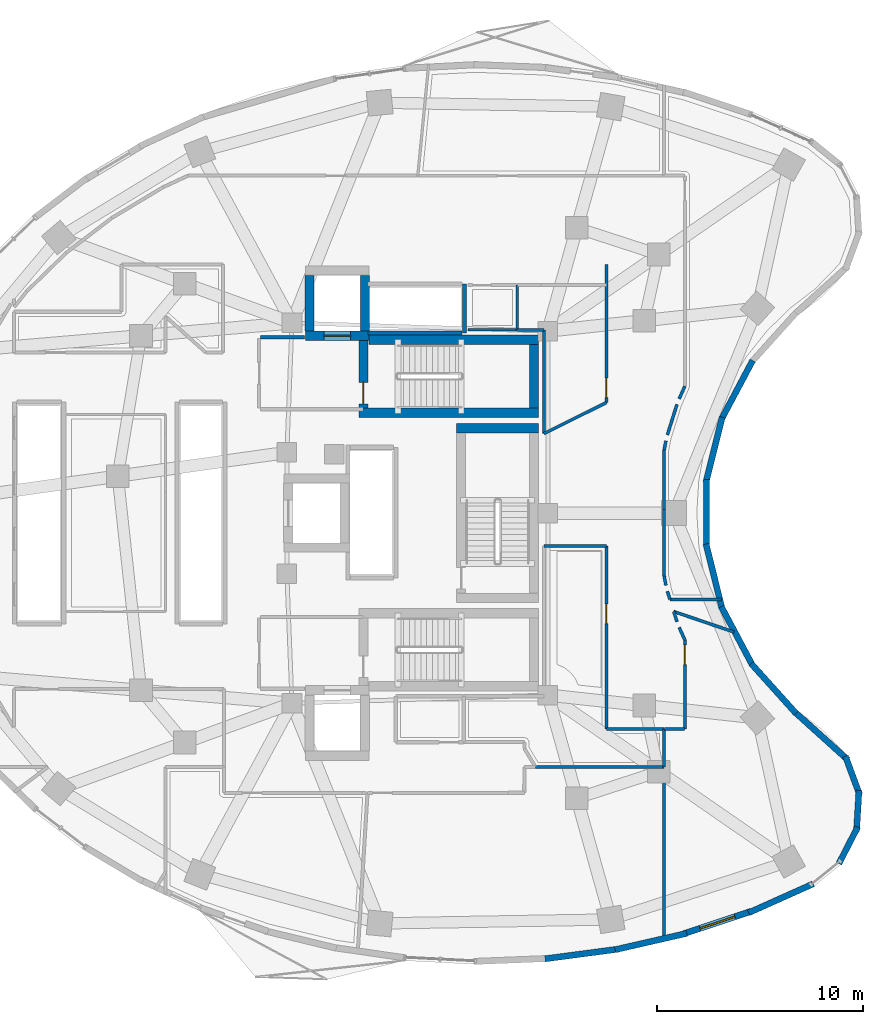
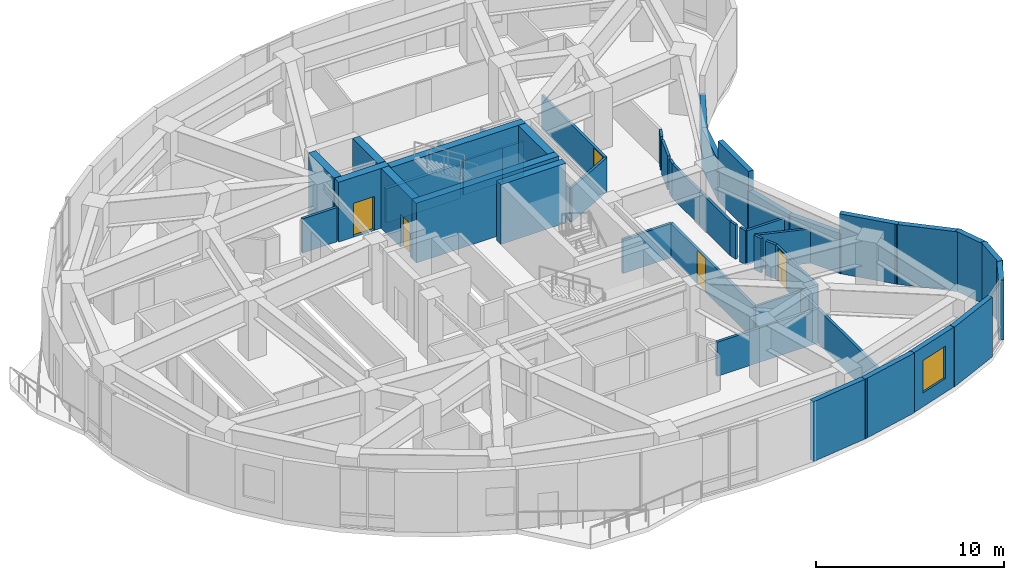
# One storey, part 8 of 13: 50 walls, 5 doors, 1 window, 6 openings.
"""IFC4 building model written with IfcOpenShell, lengths in metres."""

from ifc_helpers import new_model, si_unit, direction, frame, frame_2d, origin, place, context, subcontext, project, spatial, rectangle, extrude, material, layer, layer_set, type_object, element, fill, save


model = new_model("IFC4")

# Units and contexts
model_context = context("Model", 3, precision=1e-05, world=origin(), true_north=direction((0.0, 1.0)))
body_context = subcontext(model_context, "Body", "Model", "MODEL_VIEW")
ifc_project = project(units=[si_unit("LENGTHUNIT", "METRE"), si_unit("AREAUNIT", "SQUARE_METRE"), si_unit("VOLUMEUNIT", "CUBIC_METRE"), si_unit("PLANEANGLEUNIT", "RADIAN"), si_unit("MASSUNIT", "GRAM", prefix="KILO")], contexts=[model_context])

# Site, building, storey
site_placement = place(None, origin())
site = spatial("IfcSite", under=ifc_project, at=site_placement, CompositionType="ELEMENT")
building_placement = place(site_placement, origin())
building = spatial("IfcBuilding", under=site, at=building_placement, Name="Korentha Bioscience Tower", CompositionType="ELEMENT")
storey_placement = place(building_placement, frame((0.0, 0.0, 144.60009765625)))
storey = spatial("IfcBuildingStorey", under=building, at=storey_placement, Name="L33", CompositionType="ELEMENT", Elevation=144.60009765625)

# Wall, opening, door
ifc_material_1 = material(Name="Double-Stud Acoustic Gypsum", Category="gypsum")
ifc_layer_1 = layer(ifc_material_1, 0.14990234375, Name="Double-Stud Acoustic Gypsum")
ifc_layer_set_1 = layer_set([ifc_layer_1], Name="Double-Stud Acoustic Gypsum (IW-L150)")
wall_type_1 = type_object("IfcWallType", Name="Acoustic Laboratory Partition Wall 150", PredefinedType="PARTITIONING", material=ifc_layer_set_1)
wall_1_placement = place(storey_placement, frame((40.389892578125, 25.389892578125, 0.0), z_axis=(0.0, 0.0, 1.0), x_axis=(0.0, -1.0, 0.0)))
wall_1 = element("IfcWall", 1, at=wall_1_placement, inside=storey, type_object=wall_type_1, Name="L33 Sky-Lobby Passenger Transfer Concourse 05 Entrance Wall", PredefinedType="PARTITIONING", context=body_context, shape_type="SweptSolid", body=[
    extrude(rectangle(XDim=8.889892578125, YDim=0.14990234375, at=frame_2d((4.44482421875, 0.0))), origin(), (0.0, 0.0, 1.0), 2.219970703125),
])
opening_1_placement = place(wall_1_placement, frame((2.81201171875, 0.0, 0.0)))
opening_1 = element("IfcOpeningElement", 2, at=opening_1_placement, cuts=wall_1, Name="Opening ID-10R", PredefinedType="OPENING", context=body_context, shape_type="SweptSolid", body=[
    extrude(rectangle(XDim=0.949951171875, YDim=2.14990234375, at=frame_2d((0.47509765625, 1.074951171875))), frame((0.0, 0.08984375, 0.0), z_axis=(0.0, -1.0, 0.0), x_axis=(1.0, 0.0, 0.0)), (0.0, 0.0, 1.0), 0.1796875),
])
ifc_material_2 = material(Name="Phenolic Laminate Timber Core", Category="wood")
door_type_1 = type_object("IfcDoorType", Name="Laboratory Single Leaf Door 950x2150 Right", OperationType="SINGLE_SWING_RIGHT", PredefinedType="DOOR", material=ifc_material_2)
door_1_placement = place(opening_1_placement, origin())
door_1 = element("IfcDoor", 3, at=door_1_placement, inside=storey, type_object=door_type_1, Name="L33 Sky-Lobby Passenger Transfer Concourse 05 Door", OperationType="SINGLE_SWING_RIGHT", OverallHeight=2.14990234375, OverallWidth=0.949951171875, PredefinedType="DOOR", context=body_context, shape_type="SweptSolid", body=[
    extrude(rectangle(XDim=0.949951171875, YDim=2.14990234375, at=frame_2d((0.47509765625, 1.074951171875))), frame((0.0, 0.02490234375, 0.0), z_axis=(0.0, -1.0, 0.0), x_axis=(1.0, 0.0, 0.0)), (0.0, 0.0, 1.0), 0.050048828125),
])
fill(opening_1, door_1)

wall_2_placement = place(storey_placement, frame((44.2099609375, 16.5, 0.0), z_axis=(0.0, 0.0, 1.0), x_axis=(0.0, 1.0, 0.0)))
wall_2 = element("IfcWall", 4, at=wall_2_placement, inside=storey, type_object=wall_type_1, Name="L33 Sky-Garden Botanical Lounge 06 Entrance Wall", PredefinedType="PARTITIONING", context=body_context, shape_type="SweptSolid", body=[
    extrude(rectangle(XDim=4.324951171875, YDim=0.14990234375, at=frame_2d((2.16259765625, 0.0))), origin(), (0.0, 0.0, 1.0), 2.219970703125),
])
opening_2_placement = place(wall_2_placement, frame((3.135009765625, 0.0, 0.0)))
opening_2 = element("IfcOpeningElement", 5, at=opening_2_placement, cuts=wall_2, Name="Opening ID-10L", PredefinedType="OPENING", context=body_context, shape_type="SweptSolid", body=[
    extrude(rectangle(XDim=0.949951171875, YDim=2.14990234375, at=frame_2d((0.47509765625, 1.074951171875))), frame((0.0, 0.08984375, 0.0), z_axis=(0.0, -1.0, 0.0), x_axis=(1.0, 0.0, 0.0)), (0.0, 0.0, 1.0), 0.1796875),
])
door_type_2 = type_object("IfcDoorType", Name="Laboratory Single Leaf Door 950x2150 Left", OperationType="SINGLE_SWING_LEFT", PredefinedType="DOOR", material=ifc_material_2)
door_2_placement = place(opening_2_placement, origin())
door_2 = element("IfcDoor", 6, at=door_2_placement, inside=storey, type_object=door_type_2, Name="L33 Sky-Garden Botanical Lounge 06 Door", OperationType="SINGLE_SWING_LEFT", OverallHeight=2.14990234375, OverallWidth=0.949951171875, PredefinedType="DOOR", context=body_context, shape_type="SweptSolid", body=[
    extrude(rectangle(XDim=0.949951171875, YDim=2.14990234375, at=frame_2d((0.47509765625, 1.074951171875))), frame((0.0, 0.02490234375, 0.0), z_axis=(0.0, -1.0, 0.0), x_axis=(1.0, 0.0, 0.0)), (0.0, 0.0, 1.0), 0.050048828125),
])
fill(opening_2, door_2)

wall_3_placement = place(storey_placement, frame((40.389892578125, 39.090087890625, 0.0), z_axis=(0.0, 0.0, 1.0), x_axis=(0.0, -1.0, 0.0)))
wall_3 = element("IfcWall", 7, at=wall_3_placement, inside=storey, type_object=wall_type_1, Name="L33 Executive Colloquium Boardroom 08 Entrance Wall", PredefinedType="PARTITIONING", context=body_context, shape_type="SweptSolid", body=[
    extrude(rectangle(XDim=6.7119140625, YDim=0.14990234375, at=frame_2d((3.35595703125, 0.0))), origin(), (0.0, 0.0, 1.0), 2.219970703125),
])
opening_3_placement = place(wall_3_placement, frame((5.52197265625, 0.0, 0.0)))
opening_3 = element("IfcOpeningElement", 8, at=opening_3_placement, cuts=wall_3, Name="Opening ID-10L", PredefinedType="OPENING", context=body_context, shape_type="SweptSolid", body=[
    extrude(rectangle(XDim=0.949951171875, YDim=2.14990234375, at=frame_2d((0.47509765625, 1.074951171875))), frame((0.0, 0.08984375, 0.0), z_axis=(0.0, -1.0, 0.0), x_axis=(1.0, 0.0, 0.0)), (0.0, 0.0, 1.0), 0.1796875),
])
door_3_placement = place(opening_3_placement, origin())
door_3 = element("IfcDoor", 9, at=door_3_placement, inside=storey, type_object=door_type_2, Name="L33 Executive Colloquium Boardroom 08 Door", OperationType="SINGLE_SWING_LEFT", OverallHeight=2.14990234375, OverallWidth=0.949951171875, PredefinedType="DOOR", context=body_context, shape_type="SweptSolid", body=[
    extrude(rectangle(XDim=0.949951171875, YDim=2.14990234375, at=frame_2d((0.47509765625, 1.074951171875))), frame((0.0, 0.02490234375, 0.0), z_axis=(0.0, -1.0, 0.0), x_axis=(1.0, 0.0, 0.0)), (0.0, 0.0, 1.0), 0.050048828125),
])
fill(opening_3, door_3)

# Walls
wall_4_placement = place(storey_placement, frame((37.360107421875, 25.389892578125, 0.0), z_axis=(0.0, 0.0, 1.0), x_axis=(1.0, 0.0, 0.0)))
element("IfcWall", 10, at=wall_4_placement, inside=storey, type_object=wall_type_1, Name="L33 Interior Partition 052", PredefinedType="PARTITIONING", context=body_context, shape_type="SweptSolid", body=[
    extrude(rectangle(XDim=3.02978515625, YDim=0.14990234375, at=frame_2d((1.514892578125, 0.0))), origin(), (0.0, 0.0, 1.0), 2.219970703125),
])
wall_5_placement = place(storey_placement, frame((40.39990234375, 16.489990234375, 0.0), z_axis=(0.0, 0.0, 1.0), x_axis=(1.0, 0.0, 0.0)))
element("IfcWall", 11, at=wall_5_placement, inside=storey, type_object=wall_type_1, Name="L33 Interior Partition 053", PredefinedType="PARTITIONING", context=body_context, shape_type="SweptSolid", body=[
    extrude(rectangle(XDim=2.798095703125, YDim=0.14990234375, at=frame_2d((1.39892578125, 0.0))), origin(), (0.0, 0.0, 1.0), 2.219970703125),
])
wall_6_placement = place(storey_placement, frame((43.197998046875, 16.489990234375, 0.0), z_axis=(0.0, 0.0, 1.0), x_axis=(0.0, -1.0, 0.0)))
element("IfcWall", 12, at=wall_6_placement, inside=storey, type_object=wall_type_1, Name="L33 Interior Partition 054", PredefinedType="PARTITIONING", context=body_context, shape_type="SweptSolid", body=[
    extrude(rectangle(XDim=1.83203125, YDim=0.14990234375, at=frame_2d((0.916015625, 0.0))), origin(), (0.0, 0.0, 1.0), 2.219970703125),
])
wall_7_placement = place(storey_placement, frame((43.2080078125, 16.489990234375, 0.0), z_axis=(0.0, 0.0, 1.0), x_axis=(1.0, 0.0, 0.0)))
element("IfcWall", 13, at=wall_7_placement, inside=storey, type_object=wall_type_1, Name="L33 Interior Partition 055", PredefinedType="PARTITIONING", context=body_context, shape_type="SweptSolid", body=[
    extrude(rectangle(XDim=0.991943359375, YDim=0.14990234375, at=frame_2d((0.49609375, 0.0))), origin(), (0.0, 0.0, 1.0), 2.219970703125),
])
wall_8_placement = place(storey_placement, frame((44.208984375, 20.8291015625, 0.0), z_axis=(0.0, 0.0, 1.0), x_axis=(-0.414377467152, 0.910105111905, 0.0)))
element("IfcWall", 14, at=wall_8_placement, inside=storey, type_object=wall_type_1, Name="L33 Interior Partition 056", PredefinedType="PARTITIONING", context=body_context, shape_type="SweptSolid", body=[
    extrude(rectangle(XDim=0.67236328125, YDim=0.14990234375, at=frame_2d((0.336181640625, 0.0))), origin(), (0.0, 0.0, 1.0), 2.219970703125),
])
wall_9_placement = place(storey_placement, frame((43.823974609375, 21.718017578125, 0.0), z_axis=(0.0, 0.0, 1.0), x_axis=(-0.300747217066, 0.953703890852, 0.0)))
element("IfcWall", 15, at=wall_9_placement, inside=storey, type_object=wall_type_1, Name="L33 Interior Partition 057", PredefinedType="PARTITIONING", context=body_context, shape_type="SweptSolid", body=[
    extrude(rectangle(XDim=0.51708984375, YDim=0.14990234375, at=frame_2d((0.258544921875, 0.0))), origin(), (0.0, 0.0, 1.0), 2.219970703125),
])
wall_10_placement = place(storey_placement, frame((43.66845703125, 22.211181640625, 0.0), z_axis=(0.0, 0.0, 1.0), x_axis=(0.946663200968, -0.322224741342, 0.0)))
element("IfcWall", 16, at=wall_10_placement, inside=storey, type_object=wall_type_1, Name="L33 Interior Partition 058", PredefinedType="PARTITIONING", context=body_context, shape_type="SweptSolid", body=[
    extrude(rectangle(XDim=3.098876953125, YDim=0.14990234375, at=frame_2d((1.54931640625, 0.0))), origin(), (0.0, 0.0, 1.0), 2.219970703125),
])
wall_11_placement = place(storey_placement, frame((43.201904296875, 27.168212890625, 0.0), z_axis=(0.0, 0.0, 1.0), x_axis=(0.0, 1.0, 0.0)))
element("IfcWall", 17, at=wall_11_placement, inside=storey, type_object=wall_type_1, Name="L33 Interior Partition 059", PredefinedType="PARTITIONING", context=body_context, shape_type="SweptSolid", body=[
    extrude(rectangle(XDim=2.89404296875, YDim=0.14990234375, at=frame_2d((1.447021484375, 0.0))), origin(), (0.0, 0.0, 1.0), 2.219970703125),
])
wall_12_placement = place(storey_placement, frame((43.201904296875, 30.062255859375, 0.0), z_axis=(0.0, 0.0, 1.0), x_axis=(0.182241022482, 0.983253888741, 0.0)))
element("IfcWall", 18, at=wall_12_placement, inside=storey, type_object=wall_type_1, Name="L33 Interior Partition 060", PredefinedType="PARTITIONING", context=body_context, shape_type="SweptSolid", body=[
    extrude(rectangle(XDim=0.4609375, YDim=0.14990234375, at=frame_2d((0.23046875, 0.0))), origin(), (0.0, 0.0, 1.0), 2.219970703125),
])
wall_13_placement = place(storey_placement, frame((43.35791015625, 30.803466796875, 0.0), z_axis=(0.0, 0.0, 1.0), x_axis=(0.300641414783, 0.953737248783, 0.0)))
element("IfcWall", 19, at=wall_13_placement, inside=storey, type_object=wall_type_1, Name="L33 Interior Partition 061", PredefinedType="PARTITIONING", context=body_context, shape_type="SweptSolid", body=[
    extrude(rectangle(XDim=1.55029296875, YDim=0.14990234375, at=frame_2d((0.775146484375, 0.0))), origin(), (0.0, 0.0, 1.0), 2.219970703125),
])
wall_14_placement = place(storey_placement, frame((43.930419921875, 32.55908203125, 0.0), z_axis=(0.0, 0.0, 1.0), x_axis=(0.414377467152, 0.910105111905, 0.0)))
element("IfcWall", 20, at=wall_14_placement, inside=storey, type_object=wall_type_1, Name="L33 Interior Partition 062", PredefinedType="PARTITIONING", context=body_context, shape_type="SweptSolid", body=[
    extrude(rectangle(XDim=0.67236328125, YDim=0.14990234375, at=frame_2d((0.336181640625, 0.0))), origin(), (0.0, 0.0, 1.0), 2.219970703125),
])
wall_15_placement = place(storey_placement, frame((45.99609375, 22.802001953125, 0.0), z_axis=(0.0, 0.0, 1.0), x_axis=(-1.0, 0.0, 0.0)))
element("IfcWall", 21, at=wall_15_placement, inside=storey, type_object=wall_type_1, Name="L33 Interior Partition 065", PredefinedType="PARTITIONING", context=body_context, shape_type="SweptSolid", body=[
    extrude(rectangle(XDim=2.513916015625, YDim=0.14990234375, at=frame_2d((1.2568359375, 0.0))), origin(), (0.0, 0.0, 1.0), 2.219970703125),
])
wall_16_placement = place(storey_placement, frame((43.482177734375, 22.802001953125, 0.0), z_axis=(0.0, 0.0, 1.0), x_axis=(-0.300425095419, 0.953805410995, 0.0)))
element("IfcWall", 22, at=wall_16_placement, inside=storey, type_object=wall_type_1, Name="L33 Interior Partition 066", PredefinedType="PARTITIONING", context=body_context, shape_type="SweptSolid", body=[
    extrude(rectangle(XDim=0.41357421875, YDim=0.14990234375, at=frame_2d((0.206787109375, 0.0))), origin(), (0.0, 0.0, 1.0), 2.219970703125),
])
wall_17_placement = place(storey_placement, frame((43.285888671875, 23.484619140625, 0.0), z_axis=(0.0, 0.0, 1.0), x_axis=(-0.182241022482, 0.983253888741, 0.0)))
element("IfcWall", 23, at=wall_17_placement, inside=storey, type_object=wall_type_1, Name="L33 Interior Partition 067", PredefinedType="PARTITIONING", context=body_context, shape_type="SweptSolid", body=[
    extrude(rectangle(XDim=0.4609375, YDim=0.14990234375, at=frame_2d((0.23046875, 0.0))), origin(), (0.0, 0.0, 1.0), 2.219970703125),
])
wall_18_placement = place(storey_placement, frame((43.201904296875, 23.937744140625, 0.0), z_axis=(0.0, 0.0, 1.0), x_axis=(0.0, 1.0, 0.0)))
element("IfcWall", 24, at=wall_18_placement, inside=storey, type_object=wall_type_1, Name="L33 Interior Partition 068", PredefinedType="PARTITIONING", context=body_context, shape_type="SweptSolid", body=[
    extrude(rectangle(XDim=3.22607421875, YDim=0.14990234375, at=frame_2d((1.613037109375, 0.0))), origin(), (0.0, 0.0, 1.0), 2.219970703125),
])
wall_19_placement = place(storey_placement, frame((37.360107421875, 30.867431640625, 0.0), z_axis=(0.0, 0.0, 1.0), x_axis=(0.0, 1.0, 0.0)))
element("IfcWall", 25, at=wall_19_placement, inside=storey, type_object=wall_type_1, Name="L33 Interior Partition 069", PredefinedType="PARTITIONING", context=body_context, shape_type="SweptSolid", body=[
    extrude(rectangle(XDim=5.032470703125, YDim=0.14990234375, at=frame_2d((2.51611328125, 0.0))), origin(), (0.0, 0.0, 1.0), 2.219970703125),
])
wall_20_placement = place(storey_placement, frame((37.35009765625, 35.909912109375, 0.0), z_axis=(0.0, 0.0, 1.0), x_axis=(-1.0, 0.0, 0.0)))
element("IfcWall", 26, at=wall_20_placement, inside=storey, type_object=wall_type_1, Name="L33 Interior Partition 070", PredefinedType="PARTITIONING", context=body_context, shape_type="SweptSolid", body=[
    extrude(rectangle(XDim=1.2900390625, YDim=0.14990234375, at=frame_2d((0.64501953125, 0.0))), origin(), (0.0, 0.0, 1.0), 2.219970703125),
])
wall_21_placement = place(storey_placement, frame((40.389892578125, 32.378173828125, 0.0), z_axis=(0.0, 0.0, 1.0), x_axis=(-0.894917018808, -0.44623259568, 0.0)))
element("IfcWall", 27, at=wall_21_placement, inside=storey, type_object=wall_type_1, Name="L33 Interior Partition 074", PredefinedType="PARTITIONING", context=body_context, shape_type="SweptSolid", body=[
    extrude(rectangle(XDim=3.385498046875, YDim=0.14990234375, at=frame_2d((1.69287109375, 0.0))), origin(), (0.0, 0.0, 1.0), 2.219970703125),
])
ifc_material_3 = material(Name="Gypsum-Clad Steel Stud", Category="steel")
ifc_layer_2 = layer(ifc_material_3, 0.159912109375, Name="Gypsum-Clad Steel Stud")
ifc_layer_set_2 = layer_set([ifc_layer_2], Name="Gypsum-Clad Steel Stud (IW-C160)")
wall_type_2 = type_object("IfcWallType", Name="Fire-Rated Corridor Partition Wall 160", PredefinedType="PARTITIONING", material=ifc_layer_set_2)
wall_22_placement = place(storey_placement, frame((23.580078125, 35.550048828125, 0.0), z_axis=(0.0, 0.0, 1.0), x_axis=(1.0, 0.0, 0.0)))
element("IfcWall", 28, at=wall_22_placement, inside=storey, type_object=wall_type_2, Name="L33 Firefighting Lobby Return Wall FFLN-N", PredefinedType="PARTITIONING", context=body_context, shape_type="SweptSolid", body=[
    extrude(rectangle(XDim=2.119873046875, YDim=0.159912109375, at=frame_2d((1.06005859375, 0.0))), origin(), (0.0, 0.0, 1.0), 2.219970703125),
])
wall_23_placement = place(storey_placement, frame((36.944091796875, 14.64794921875, 0.0), z_axis=(0.0, 0.0, 1.0), x_axis=(1.0, 0.0, 0.0)))
element("IfcWall", 29, at=wall_23_placement, inside=storey, type_object=wall_type_2, Name="L33 Interior Partition 041", PredefinedType="PARTITIONING", context=body_context, shape_type="SweptSolid", body=[
    extrude(rectangle(XDim=6.25390625, YDim=0.159912109375, at=frame_2d((3.126953125, 0.0))), origin(), (0.0, 0.0, 1.0), 2.219970703125),
])
wall_24_placement = place(storey_placement, frame((43.197998046875, 14.64794921875, 0.0), z_axis=(0.0, 0.0, 1.0), x_axis=(0.0, -1.0, 0.0)))
element("IfcWall", 30, at=wall_24_placement, inside=storey, type_object=wall_type_2, Name="L33 Interior Partition 042", PredefinedType="PARTITIONING", context=body_context, shape_type="SweptSolid", body=[
    extrude(rectangle(XDim=8.457275390625, YDim=0.159912109375, at=frame_2d((4.228515625, 0.0))), origin(), (0.0, 0.0, 1.0), 2.219970703125),
])

# Wall, opening, window
ifc_material_4 = material(Name="Honed Limestone Precast Concrete C40", Category="masonry")
ifc_layer_3 = layer(ifc_material_4, 0.300048828125, Name="Honed Limestone Precast Concrete C40")
ifc_layer_set_3 = layer_set([ifc_layer_3], Name="Honed Limestone Precast Concrete C40 (EW-ST300)")
wall_type_3 = type_object("IfcWallType", Name="Honed Limestone Cavity Spandrel Wall 300", PredefinedType="STANDARD", material=ifc_layer_set_3)
wall_25_placement = place(storey_placement, frame((44.1474609375, 6.537841796875, 0.0), z_axis=(0.0, 0.0, 1.0), x_axis=(0.948949854506, 0.315426970364, 0.0)))
wall_25 = element("IfcWall", 31, at=wall_25_placement, inside=storey, type_object=wall_type_3, Name="L33 Honed Limestone Spandrel Wall 35", PredefinedType="STANDARD", context=body_context, shape_type="SweptSolid", body=[
    extrude(rectangle(XDim=3.47607421875, YDim=0.300048828125, at=frame_2d((1.738037109375, 0.0))), origin(), (0.0, 0.0, 1.0), 3.8798828125),
])
opening_4_placement = place(wall_25_placement, frame((0.838134765625, 0.0, 0.89990234375)))
opening_4 = element("IfcOpeningElement", 32, at=opening_4_placement, cuts=wall_25, Name="Opening WN-01", PredefinedType="OPENING", context=body_context, shape_type="SweptSolid", body=[
    extrude(rectangle(XDim=1.800048828125, YDim=2.10009765625, at=frame_2d((0.89990234375, 1.050048828125))), frame((0.0, 0.1650390625, 0.0), z_axis=(0.0, -1.0, 0.0), x_axis=(1.0, 0.0, 0.0)), (0.0, 0.0, 1.0), 0.329833984375),
])
ifc_material_5 = material(Name="Thermally Broken Aluminium Triple Glazing", Category="aluminium")
window_type = type_object("IfcWindowType", Name="Triple-Glazed Fixed Bioscience Window 1800x2100", PartitioningType="SINGLE_PANEL", PredefinedType="WINDOW", material=ifc_material_5)
window_placement = place(opening_4_placement, origin())
window = element("IfcWindow", 33, at=window_placement, inside=storey, type_object=window_type, Name="L33 Facade Window 35", OverallHeight=2.10009765625, OverallWidth=1.800048828125, PartitioningType="SINGLE_PANEL", PredefinedType="WINDOW", context=body_context, shape_type="SweptSolid", body=[
    extrude(rectangle(XDim=1.800048828125, YDim=2.10009765625, at=frame_2d((0.89990234375, 1.050048828125))), frame((0.0, 0.030029296875, 0.0), z_axis=(0.0, -1.0, 0.0), x_axis=(1.0, 0.0, 0.0)), (0.0, 0.0, 1.0), 0.06005859375),
])
fill(opening_4, window)

# Walls
wall_26_placement = place(storey_placement, frame((37.40234375, 5.319091796875, 0.0), z_axis=(0.0, 0.0, 1.0), x_axis=(0.991372969521, 0.131071107816, 0.0)))
element("IfcWall", 34, at=wall_26_placement, inside=storey, type_object=wall_type_3, Name="L33 Limestone Perimeter Closure Wall 33", PredefinedType="STANDARD", context=body_context, shape_type="SweptSolid", body=[
    extrude(rectangle(XDim=3.615478515625, YDim=0.300048828125, at=frame_2d((1.8076171875, 0.0))), origin(), (0.0, 0.0, 1.0), 3.8798828125),
])
wall_27_placement = place(storey_placement, frame((40.81640625, 5.76220703125, 0.0), z_axis=(0.0, 0.0, 1.0), x_axis=(0.974841550422, 0.222898971669, 0.0)))
element("IfcWall", 35, at=wall_27_placement, inside=storey, type_object=wall_type_3, Name="L33 Limestone Perimeter Closure Wall 34", PredefinedType="STANDARD", context=body_context, shape_type="SweptSolid", body=[
    extrude(rectangle(XDim=3.574951171875, YDim=0.300048828125, at=frame_2d((1.78759765625, 0.0))), origin(), (0.0, 0.0, 1.0), 3.8798828125),
])
wall_28_placement = place(storey_placement, frame((47.309326171875, 7.55859375, 0.0), z_axis=(0.0, 0.0, 1.0), x_axis=(0.912672725317, 0.408691199395, 0.0)))
element("IfcWall", 36, at=wall_28_placement, inside=storey, type_object=wall_type_3, Name="L33 Limestone Perimeter Closure Wall 36", PredefinedType="STANDARD", context=body_context, shape_type="SweptSolid", body=[
    extrude(rectangle(XDim=3.44091796875, YDim=0.300048828125, at=frame_2d((1.720458984375, 0.0))), origin(), (0.0, 0.0, 1.0), 3.8798828125),
])
for number, where, z_axis, x_axis, name in (
    (37, (51.701171875, 9.953125, 0.0), (0.0, 0.0, 1.0), (0.457596540329, 0.889159944149, 0.0), "L33 Limestone Perimeter Closure Wall 38"),
    (38, (52.55859375, 11.522705078125, 0.0), (0.0, 0.0, 1.0), (0.060255200356, 0.998183004679, 0.0), "L33 Limestone Perimeter Closure Wall 39"),
):
    element("IfcWall", number, at=place(storey_placement, frame(where, z_axis=z_axis, x_axis=x_axis)), inside=storey, type_object=wall_type_3, Name=name, PredefinedType="STANDARD", context=body_context, shape_type="SweptSolid", body=[
        extrude(rectangle(XDim=1.99755859375, YDim=0.300048828125, at=frame_2d((0.998779296875, 0.0))), origin(), (0.0, 0.0, 1.0), 3.8798828125),
    ])
wall_29_placement = place(storey_placement, frame((52.710205078125, 13.3046875, 0.0), z_axis=(0.0, 0.0, 1.0), x_axis=(-0.347370087337, 0.937728117539, 0.0)))
element("IfcWall", 39, at=wall_29_placement, inside=storey, type_object=wall_type_3, Name="L33 Limestone Perimeter Closure Wall 40", PredefinedType="STANDARD", context=body_context, shape_type="SweptSolid", body=[
    extrude(rectangle(XDim=1.997314453125, YDim=0.300048828125, at=frame_2d((0.99853515625, 0.0))), origin(), (0.0, 0.0, 1.0), 3.8798828125),
])
wall_30_placement = place(storey_placement, frame((52.14111328125, 14.993896484375, 0.0), z_axis=(0.0, 0.0, 1.0), x_axis=(-0.74255963233, 0.669779958221, 0.0)))
element("IfcWall", 40, at=wall_30_placement, inside=storey, type_object=wall_type_3, Name="L33 Limestone Perimeter Closure Wall 41", PredefinedType="STANDARD", context=body_context, shape_type="SweptSolid", body=[
    extrude(rectangle(XDim=3.5390625, YDim=0.300048828125, at=frame_2d((1.76953125, 0.0))), origin(), (0.0, 0.0, 1.0), 3.8798828125),
])
wall_31_placement = place(storey_placement, frame((49.61572265625, 17.26171875, 0.0), z_axis=(0.0, 0.0, 1.0), x_axis=(-0.669167727967, 0.743111399353, 0.0)))
element("IfcWall", 41, at=wall_31_placement, inside=storey, type_object=wall_type_3, Name="L33 Limestone Perimeter Closure Wall 43", PredefinedType="STANDARD", context=body_context, shape_type="SweptSolid", body=[
    extrude(rectangle(XDim=3.25537109375, YDim=0.300048828125, at=frame_2d((1.627685546875, 0.0))), origin(), (0.0, 0.0, 1.0), 3.8798828125),
])
wall_32_placement = place(storey_placement, frame((47.5087890625, 19.578857421875, 0.0), z_axis=(0.0, 0.0, 1.0), x_axis=(-0.469451284634, 0.882958374645, 0.0)))
element("IfcWall", 42, at=wall_32_placement, inside=storey, type_object=wall_type_3, Name="L33 Limestone Perimeter Closure Wall 45", PredefinedType="STANDARD", context=body_context, shape_type="SweptSolid", body=[
    extrude(rectangle(XDim=3.255615234375, YDim=0.300048828125, at=frame_2d((1.6279296875, 0.0))), origin(), (0.0, 0.0, 1.0), 2.60498046875),
])
wall_33_placement = place(storey_placement, frame((46.025146484375, 22.3369140625, 0.0), z_axis=(0.0, 0.0, 1.0), x_axis=(-0.241900409149, 0.970301083197, 0.0)))
element("IfcWall", 43, at=wall_33_placement, inside=storey, type_object=wall_type_3, Name="L33 Limestone Perimeter Closure Wall 47", PredefinedType="STANDARD", context=body_context, shape_type="SweptSolid", body=[
    extrude(rectangle(XDim=3.255859375, YDim=0.300048828125, at=frame_2d((1.6279296875, 0.0))), origin(), (0.0, 0.0, 1.0), 2.60498046875),
])
wall_34_placement = place(storey_placement, frame((45.252685546875, 25.372314453125, 0.0), z_axis=(0.0, 0.0, 1.0), x_axis=(0.0, 1.0, 0.0)))
element("IfcWall", 44, at=wall_34_placement, inside=storey, type_object=wall_type_3, Name="L33 Limestone Perimeter Closure Wall 49", PredefinedType="STANDARD", context=body_context, shape_type="SweptSolid", body=[
    extrude(rectangle(XDim=3.25537109375, YDim=0.300048828125, at=frame_2d((1.627685546875, 0.0))), origin(), (0.0, 0.0, 1.0), 3.8798828125),
])
wall_35_placement = place(storey_placement, frame((45.237548828125, 28.50390625, 0.0), z_axis=(0.0, 0.0, 1.0), x_axis=(0.241900409149, 0.970301083197, 0.0)))
element("IfcWall", 45, at=wall_35_placement, inside=storey, type_object=wall_type_3, Name="L33 Limestone Perimeter Closure Wall 51", PredefinedType="STANDARD", context=body_context, shape_type="SweptSolid", body=[
    extrude(rectangle(XDim=3.255859375, YDim=0.300048828125, at=frame_2d((1.6279296875, 0.0))), origin(), (0.0, 0.0, 1.0), 2.60498046875),
])
wall_36_placement = place(storey_placement, frame((45.98046875, 31.546630859375, 0.0), z_axis=(0.0, 0.0, 1.0), x_axis=(0.469451284634, 0.882958374645, 0.0)))
element("IfcWall", 46, at=wall_36_placement, inside=storey, type_object=wall_type_3, Name="L33 Limestone Perimeter Closure Wall 53", PredefinedType="STANDARD", context=body_context, shape_type="SweptSolid", body=[
    extrude(rectangle(XDim=3.255615234375, YDim=0.300048828125, at=frame_2d((1.6279296875, 0.0))), origin(), (0.0, 0.0, 1.0), 2.60498046875),
])
ifc_material_6 = material(Name="Autoclaved Aerated Concrete Block C25", Category="concrete")
ifc_layer_4 = layer(ifc_material_6, 0.199951171875, Name="Autoclaved Aerated Concrete Block C25")
ifc_layer_set_4 = layer_set([ifc_layer_4], Name="Autoclaved Aerated Concrete Block C25 (IW-S200)")
wall_type_4 = type_object("IfcWallType", Name="Lift and Riser Shaft Enclosure Wall 200", PredefinedType="PARTITIONING", material=ifc_layer_set_4)
wall_37_placement = place(storey_placement, frame((33.489990234375, 35.760009765625, 0.0), z_axis=(0.0, 0.0, 1.0), x_axis=(0.0, 1.0, 0.0)))
element("IfcWall", 47, at=wall_37_placement, inside=storey, type_object=wall_type_4, Name="L33 Lift Bank OBS Shaft Wall +X", PredefinedType="PARTITIONING", context=body_context, shape_type="SweptSolid", body=[
    extrude(rectangle(XDim=2.3798828125, YDim=0.199951171875, at=frame_2d((1.18994140625, 0.0))), origin(), (0.0, 0.0, 1.0), 2.219970703125),
])
wall_38_placement = place(storey_placement, frame((28.800048828125, 35.760009765625, 0.0), z_axis=(0.0, 0.0, 1.0), x_axis=(1.0, 0.0, 0.0)))
element("IfcWall", 48, at=wall_38_placement, inside=storey, type_object=wall_type_4, Name="L33 Lift Bank OBS Shaft Wall -Y", PredefinedType="PARTITIONING", context=body_context, shape_type="SweptSolid", body=[
    extrude(rectangle(XDim=4.570068359375, YDim=0.199951171875, at=frame_2d((2.28515625, 0.0))), origin(), (0.0, 0.0, 1.0), 2.219970703125),
])
ifc_material_7 = material(Name="Concrete C80", Category="concrete")
ifc_layer_5 = layer(ifc_material_7, 0.449951171875, Name="Concrete C80")
ifc_layer_set_5 = layer_set([ifc_layer_5], Name="Concrete C80 (CW-C80)")
wall_type_5 = type_object("IfcWallType", Name="Lower Core Shear Wall 450", PredefinedType="SHEAR", material=ifc_layer_set_5)
wall_39_placement = place(storey_placement, frame((28.85205078125, 35.425048828125, 0.0), z_axis=(0.0, 0.0, 1.0), x_axis=(1.0, 0.0, 0.0)))
element("IfcWall", 49, at=wall_39_placement, inside=storey, type_object=wall_type_5, Name="L33 Core Shear Wall ST1-N", PredefinedType="SHEAR", context=body_context, shape_type="SweptSolid", body=[
    extrude(rectangle(XDim=8.248046875, YDim=0.449951171875, at=frame_2d((4.1240234375, 0.0))), origin(), (0.0, 0.0, 1.0), 3.8798828125),
])
wall_40_placement = place(storey_placement, frame((28.35009765625, 31.875, 0.0), z_axis=(0.0, 0.0, 1.0), x_axis=(1.0, 0.0, 0.0)))
element("IfcWall", 50, at=wall_40_placement, inside=storey, type_object=wall_type_5, Name="L33 Core Shear Wall ST1-S", PredefinedType="SHEAR", context=body_context, shape_type="SweptSolid", body=[
    extrude(rectangle(XDim=8.75, YDim=0.449951171875, at=frame_2d((4.375, 0.0))), origin(), (0.0, 0.0, 1.0), 3.8798828125),
])
wall_41_placement = place(storey_placement, frame((36.875, 32.110107421875, 0.0), z_axis=(0.0, 0.0, 1.0), x_axis=(0.0, 1.0, 0.0)))
element("IfcWall", 51, at=wall_41_placement, inside=storey, type_object=wall_type_5, Name="L33 Core Shear Wall ST1-E", PredefinedType="SHEAR", context=body_context, shape_type="SweptSolid", body=[
    extrude(rectangle(XDim=3.079833984375, YDim=0.449951171875, at=frame_2d((1.5400390625, 0.0))), origin(), (0.0, 0.0, 1.0), 3.8798828125),
])

# Wall, opening, door
wall_42_placement = place(storey_placement, frame((28.574951171875, 32.110107421875, 0.0), z_axis=(0.0, 0.0, 1.0), x_axis=(0.0, 1.0, 0.0)))
wall_42 = element("IfcWall", 52, at=wall_42_placement, inside=storey, type_object=wall_type_5, Name="L33 Core Shear Wall ST1-W", PredefinedType="SHEAR", context=body_context, shape_type="SweptSolid", body=[
    extrude(rectangle(XDim=3.282958984375, YDim=0.449951171875, at=frame_2d((1.6416015625, 0.0))), origin(), (0.0, 0.0, 1.0), 3.8798828125),
])
opening_5_placement = place(wall_42_placement, frame((0.199951171875, 0.0, 0.0)))
opening_5 = element("IfcOpeningElement", 53, at=opening_5_placement, cuts=wall_42, Name="Opening FD-90R", PredefinedType="OPENING", context=body_context, shape_type="SweptSolid", body=[
    extrude(rectangle(XDim=1.050048828125, YDim=2.14990234375, at=frame_2d((0.52490234375, 1.074951171875))), frame((0.0, 0.23974609375, 0.0), z_axis=(0.0, -1.0, 0.0), x_axis=(1.0, 0.0, 0.0)), (0.0, 0.0, 1.0), 0.479736328125),
])
ifc_material_8 = material(Name="Powder-Coated Fire-Rated Steel", Category="steel")
door_type_3 = type_object("IfcDoorType", Name="Stairwell Fire Exit Door 1050x2150 Right", OperationType="SINGLE_SWING_RIGHT", PredefinedType="DOOR", material=ifc_material_8)
door_4_placement = place(opening_5_placement, origin())
door_4 = element("IfcDoor", 54, at=door_4_placement, inside=storey, type_object=door_type_3, Name="L33 ST-1 Fire Exit Stair Door", OperationType="SINGLE_SWING_RIGHT", OverallHeight=2.14990234375, OverallWidth=1.050048828125, PredefinedType="DOOR", context=body_context, shape_type="SweptSolid", body=[
    extrude(rectangle(XDim=1.050048828125, YDim=2.14990234375, at=frame_2d((0.52490234375, 1.074951171875))), frame((0.0, 0.02490234375, 0.0), z_axis=(0.0, -1.0, 0.0), x_axis=(1.0, 0.0, 0.0)), (0.0, 0.0, 1.0), 0.050048828125),
])
fill(opening_5, door_4)

# Wall
wall_43_placement = place(storey_placement, frame((33.10009765625, 31.125, 0.0), z_axis=(0.0, 0.0, 1.0), x_axis=(1.0, 0.0, 0.0)))
element("IfcWall", 55, at=wall_43_placement, inside=storey, type_object=wall_type_5, Name="L33 Core Shear Wall ST3-N", PredefinedType="SHEAR", context=body_context, shape_type="SweptSolid", body=[
    extrude(rectangle(XDim=4.0, YDim=0.449951171875, at=frame_2d((2.0, 0.0))), origin(), (0.0, 0.0, 1.0), 3.8798828125),
])

# Wall, opening, door
wall_44_placement = place(storey_placement, frame((25.75, 35.6201171875, 0.0), z_axis=(0.0, 0.0, 1.0), x_axis=(1.0, 0.0, 0.0)))
wall_44 = element("IfcWall", 56, at=wall_44_placement, inside=storey, type_object=wall_type_5, Name="L33 Core Shear Wall FFL2-S", PredefinedType="SHEAR", context=body_context, shape_type="SweptSolid", body=[
    extrude(rectangle(XDim=3.10009765625, YDim=0.449951171875, at=frame_2d((1.550048828125, 0.0))), origin(), (0.0, 0.0, 1.0), 3.8798828125),
])
opening_6_placement = place(wall_44_placement, frame((0.89990234375, 0.0, 0.0)))
opening_6 = element("IfcOpeningElement", 57, at=opening_6_placement, cuts=wall_44, Name="Opening LD-13", PredefinedType="OPENING", context=body_context, shape_type="SweptSolid", body=[
    extrude(rectangle(XDim=1.300048828125, YDim=2.199951171875, at=frame_2d((0.64990234375, 1.10009765625))), frame((0.0, 0.23974609375, 0.0), z_axis=(0.0, -1.0, 0.0), x_axis=(1.0, 0.0, 0.0)), (0.0, 0.0, 1.0), 0.479736328125),
])
ifc_material_9 = material(Name="Brushed Stainless Steel 316", Category="steel")
door_type_4 = type_object("IfcDoorType", Name="Service & Firefighting Lift Landing Door 1300x2300", OperationType="DOUBLE_DOOR_SLIDING", PredefinedType="DOOR", material=ifc_material_9)
door_5_placement = place(opening_6_placement, origin())
door_5 = element("IfcDoor", 58, at=door_5_placement, inside=storey, type_object=door_type_4, Name="L33 FFL-2 Sliding Lift Landing Door", OperationType="DOUBLE_DOOR_SLIDING", OverallHeight=2.199951171875, OverallWidth=1.300048828125, PredefinedType="DOOR", context=body_context, shape_type="SweptSolid", body=[
    extrude(rectangle(XDim=1.300048828125, YDim=2.199951171875, at=frame_2d((0.64990234375, 1.10009765625))), frame((0.0, 0.02490234375, 0.0), z_axis=(0.0, -1.0, 0.0), x_axis=(1.0, 0.0, 0.0)), (0.0, 0.0, 1.0), 0.050048828125),
])
fill(opening_6, door_5)

# Walls
for number, where, z_axis, x_axis, name in (
    (59, (25.949951171875, 35.860107421875, 0.0), (0.0, 0.0, 1.0), (0.0, 1.0, 0.0), "L33 Core Shear Wall FFL2-W"),
    (60, (28.64990234375, 35.860107421875, 0.0), (0.0, 0.0, 1.0), (0.0, 1.0, 0.0), "L33 Core Shear Wall FFL2-E"),
):
    element("IfcWall", number, at=place(storey_placement, frame(where, z_axis=z_axis, x_axis=x_axis)), inside=storey, type_object=wall_type_5, Name=name, PredefinedType="SHEAR", context=body_context, shape_type="SweptSolid", body=[
        extrude(rectangle(XDim=2.699951171875, YDim=0.449951171875, at=frame_2d((1.35009765625, 0.0))), origin(), (0.0, 0.0, 1.0), 3.8798828125),
    ])
ifc_material_10 = material(Name="Cement-Board Steel Stud", Category="steel")
ifc_layer_6 = layer(ifc_material_10, 0.1298828125, Name="Cement-Board Steel Stud")
ifc_layer_set_6 = layer_set([ifc_layer_6], Name="Cement-Board Steel Stud (IW-W130)")
wall_type_6 = type_object("IfcWallType", Name="Wet-Area Moisture-Resistant Partition 130", PredefinedType="PARTITIONING", material=ifc_layer_set_6)
wall_45_placement = place(storey_placement, frame((36.050048828125, 35.909912109375, 0.0), z_axis=(0.0, 0.0, 1.0), x_axis=(-1.0, 0.0, 0.0)))
element("IfcWall", 61, at=wall_45_placement, inside=storey, type_object=wall_type_6, Name="L33 Interior Partition 017", PredefinedType="PARTITIONING", context=body_context, shape_type="SweptSolid", body=[
    extrude(rectangle(XDim=2.400146484375, YDim=0.1298828125, at=frame_2d((1.2001953125, 0.0))), origin(), (0.0, 0.0, 1.0), 2.219970703125),
])
wall_46_placement = place(storey_placement, frame((36.050048828125, 38.090087890625, 0.0), z_axis=(0.0, 0.0, 1.0), x_axis=(0.0, -1.0, 0.0)))
element("IfcWall", 62, at=wall_46_placement, inside=storey, type_object=wall_type_6, Name="L33 Interior Partition 018", PredefinedType="PARTITIONING", context=body_context, shape_type="SweptSolid", body=[
    extrude(rectangle(XDim=2.18017578125, YDim=0.1298828125, at=frame_2d((1.090087890625, 0.0))), origin(), (0.0, 0.0, 1.0), 2.219970703125),
])

save(model, "model.ifc")
